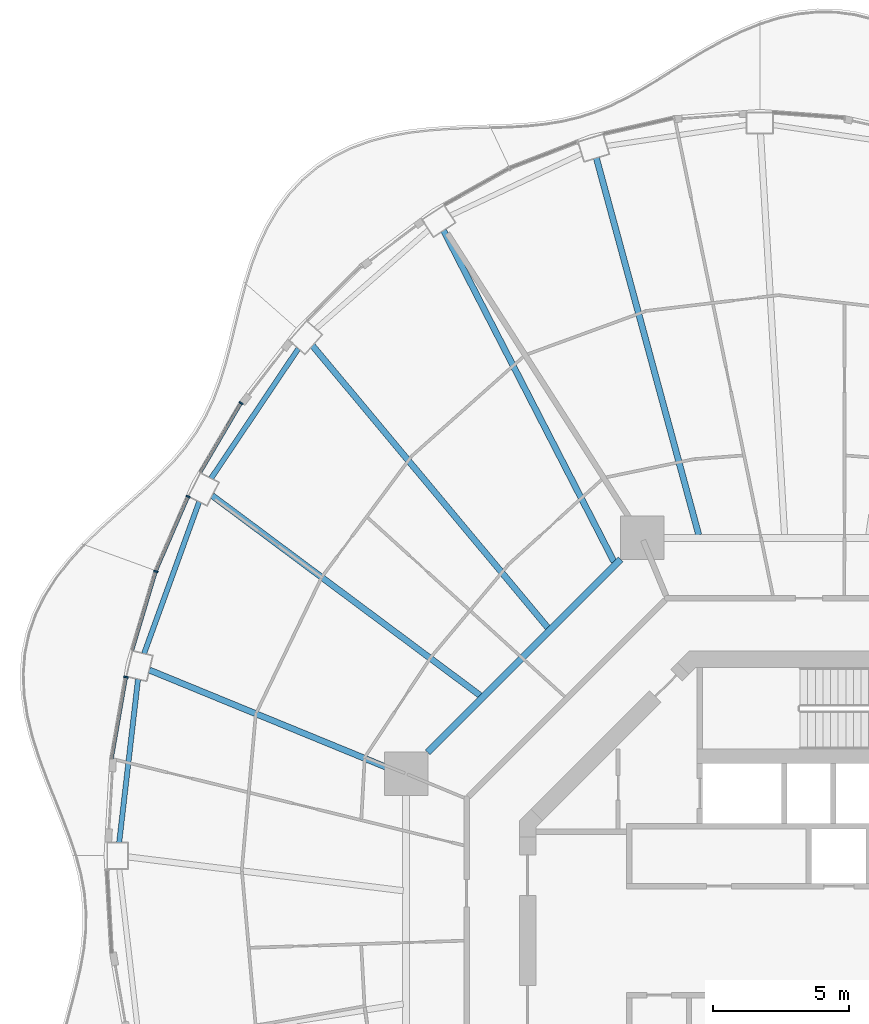
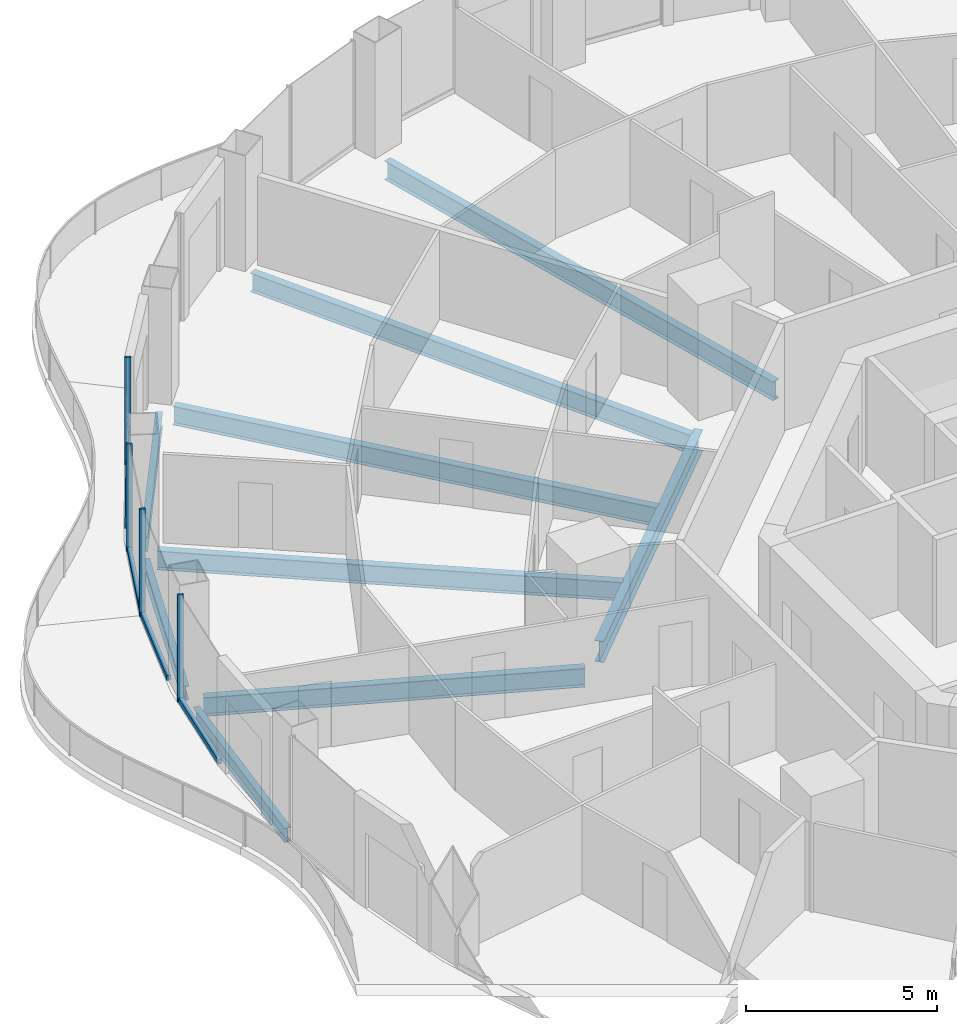
# One storey, part 5 of 18: 9 beams, 8 members, 4 elements without a shape of their own.
"""IFC4 building model written with IfcOpenShell, lengths in metres."""

from ifc_helpers import new_model, si_unit, direction, frame, origin, origin_2d, place, context, subcontext, project, spatial, rectangle, i_section, extrude, material, layer, layer_set, material_profile, profile_set, type_object, element, aggregate, save


model = new_model("IFC4")

# Units and contexts
model_context = context("Model", 3, precision=1e-05, world=origin(), true_north=direction((0.0, 1.0)))
body_context = subcontext(model_context, "Body", "Model", "MODEL_VIEW")
ifc_project = project(units=[si_unit("LENGTHUNIT", "METRE"), si_unit("AREAUNIT", "SQUARE_METRE"), si_unit("VOLUMEUNIT", "CUBIC_METRE"), si_unit("PLANEANGLEUNIT", "RADIAN"), si_unit("MASSUNIT", "GRAM", prefix="KILO")], contexts=[model_context])

# Site, building, storey
site_placement = place(None, origin())
site = spatial("IfcSite", under=ifc_project, at=site_placement, CompositionType="ELEMENT")
building_placement = place(site_placement, origin())
building = spatial("IfcBuilding", under=site, at=building_placement, Name="Nagisa Residences", CompositionType="ELEMENT")
storey_placement = place(building_placement, frame((0.0, 0.0, 238.10009765625)))
storey = spatial("IfcBuildingStorey", under=building, at=storey_placement, Name="L60", CompositionType="ELEMENT", Elevation=238.10009765625)

# Curtain wall, member
ifc_material_1 = material(Name="Concrete-coloured aluminium curtain wall system", Category="concrete")
ifc_layer = layer(ifc_material_1, 0.159912109375)
ifc_layer_set = layer_set([ifc_layer], Name="CW1 CURTAIN WALL")
curtain_wall_type = type_object("IfcCurtainWallType", Name="CW1 CURTAIN WALL", PredefinedType="NOTDEFINED", material=ifc_layer_set)
curtain_wall_1_placement = place(storey_placement, origin())
curtain_wall_1 = element("IfcCurtainWall", 1, at=curtain_wall_1_placement, inside=storey, type_object=curtain_wall_type, Name="cw:CW1:L60:19", PredefinedType="NOTDEFINED")
ifc_material_2 = material(Name="Concrete-coloured aluminium", Category="concrete")
ifc_material_profile_1 = material_profile(ifc_material_2, rectangle(XDim=0.159912109375, YDim=0.06005859375, at=origin_2d()), Name="CW1 MULLION 160x60")
ifc_profile_set_1 = profile_set([ifc_material_profile_1], Name="Concrete-coloured aluminium")
member_type_1 = type_object("IfcMemberType", Name="CW1 MULLION 160x60", PredefinedType="MULLION", material=ifc_profile_set_1)
member_1_placement = place(storey_placement, frame((-20.84228515625, 19.725341796875, 0.0), z_axis=(0.0, 0.0, 1.0), x_axis=(0.862328898214, -0.506348567002, 0.0)))
member_1 = element("IfcMember", 2, at=member_1_placement, type_object=member_type_1, Name="CW1 mullion", PredefinedType="MULLION", context=body_context, shape_type="SweptSolid", body=[
    extrude(rectangle(XDim=0.159912109375, YDim=0.06005859375, at=origin_2d()), origin(), (0.0, 0.0, 1.0), 3.43994140625),
])

curtain_wall_2_placement = place(storey_placement, origin())
curtain_wall_2 = element("IfcCurtainWall", 3, at=curtain_wall_2_placement, inside=storey, type_object=curtain_wall_type, Name="cw:CW1:L60:20", PredefinedType="NOTDEFINED")
member_2_placement = place(storey_placement, frame((-22.782470703125, 16.294677734375, 0.0), z_axis=(0.0, 0.0, 1.0), x_axis=(0.917543276295, -0.397635934147, 0.0)))
member_2 = element("IfcMember", 4, at=member_2_placement, type_object=member_type_1, Name="CW1 mullion", PredefinedType="MULLION", context=body_context, shape_type="SweptSolid", body=[
    extrude(rectangle(XDim=0.159912109375, YDim=0.06005859375, at=origin_2d()), origin(), (0.0, 0.0, 1.0), 3.43994140625),
])

curtain_wall_3_placement = place(storey_placement, origin())
curtain_wall_3 = element("IfcCurtainWall", 5, at=curtain_wall_3_placement, inside=storey, type_object=curtain_wall_type, Name="cw:CW1:L60:21", PredefinedType="NOTDEFINED")
member_3_placement = place(storey_placement, frame((-23.9697265625, 13.5478515625, 0.0), z_axis=(0.0, 0.0, 1.0), x_axis=(0.958271310082, -0.285860274038, 0.0)))
member_3 = element("IfcMember", 6, at=member_3_placement, type_object=member_type_1, Name="CW1 mullion", PredefinedType="MULLION", context=body_context, shape_type="SweptSolid", body=[
    extrude(rectangle(XDim=0.159912109375, YDim=0.06005859375, at=origin_2d()), origin(), (0.0, 0.0, 1.0), 3.43994140625),
])

curtain_wall_4_placement = place(storey_placement, origin())
curtain_wall_4 = element("IfcCurtainWall", 7, at=curtain_wall_4_placement, inside=storey, type_object=curtain_wall_type, Name="cw:CW1:L60:22", PredefinedType="NOTDEFINED")
member_4_placement = place(storey_placement, frame((-25.062255859375, 9.6708984375, 0.0), z_axis=(0.0, 0.0, 1.0), x_axis=(0.985063604377, -0.172190868898, 0.0)))
member_4 = element("IfcMember", 8, at=member_4_placement, type_object=member_type_1, Name="CW1 mullion", PredefinedType="MULLION", context=body_context, shape_type="SweptSolid", body=[
    extrude(rectangle(XDim=0.159912109375, YDim=0.06005859375, at=origin_2d()), origin(), (0.0, 0.0, 1.0), 3.43994140625),
])

# Member
ifc_material_3 = material(Name="Concrete-coloured aluminium", Category="concrete")
ifc_material_profile_2 = material_profile(ifc_material_3, rectangle(XDim=0.1201171875, YDim=0.14990234375, at=origin_2d()), Name="CW1 TRANSOM 120x150")
ifc_profile_set_2 = profile_set([ifc_material_profile_2], Name="Concrete-coloured aluminium")
member_type_2 = type_object("IfcMemberType", Name="CW1 TRANSOM 120x150", PredefinedType="USERDEFINED", material=ifc_profile_set_2)
member_5_placement = place(storey_placement, frame((-20.8271484375, 19.751220703125, 0.074951171875), z_axis=(-0.506294090973, -0.862360883532, 0.0), x_axis=(0.862360883532, -0.506294090973, 0.0)))
member_5 = element("IfcMember", 9, at=member_5_placement, type_object=member_type_2, Name="CW1 transom", ObjectType="TRANSOM", PredefinedType="USERDEFINED", context=body_context, shape_type="SweptSolid", body=[
    extrude(rectangle(XDim=0.1201171875, YDim=0.14990234375, at=origin_2d()), origin(), (0.0, 0.0, 1.0), 2.95458984375),
])

aggregate(curtain_wall_1, [member_1, member_5])

member_6_placement = place(storey_placement, frame((-22.770751953125, 16.322021484375, 0.074951171875), z_axis=(-0.397616567135, -0.917551669139, 0.0), x_axis=(0.917551669139, -0.397616567135, 0.0)))
member_6 = element("IfcMember", 10, at=member_6_placement, type_object=member_type_2, Name="CW1 transom", ObjectType="TRANSOM", PredefinedType="USERDEFINED", context=body_context, shape_type="SweptSolid", body=[
    extrude(rectangle(XDim=0.1201171875, YDim=0.14990234375, at=origin_2d()), origin(), (0.0, 0.0, 1.0), 3.001953125),
])

aggregate(curtain_wall_2, [member_2, member_6])

member_7_placement = place(storey_placement, frame((-23.961181640625, 13.576416015625, 0.074951171875), z_axis=(-0.285881452443, -0.958264992134, 0.0), x_axis=(0.958264992134, -0.285881452443, 0.0)))
member_7 = element("IfcMember", 11, at=member_7_placement, type_object=member_type_2, Name="CW1 transom", ObjectType="TRANSOM", PredefinedType="USERDEFINED", context=body_context, shape_type="SweptSolid", body=[
    extrude(rectangle(XDim=0.1201171875, YDim=0.14990234375, at=origin_2d()), origin(), (0.0, 0.0, 1.0), 3.040283203125),
])

aggregate(curtain_wall_3, [member_3, member_7])

member_8_placement = place(storey_placement, frame((-25.05712890625, 9.700439453125, 0.074951171875), z_axis=(-0.172164083933, -0.985068286061, 0.0), x_axis=(0.985068286061, -0.172164083933, 0.0)))
member_8 = element("IfcMember", 12, at=member_8_placement, type_object=member_type_2, Name="CW1 transom", ObjectType="TRANSOM", PredefinedType="USERDEFINED", context=body_context, shape_type="SweptSolid", body=[
    extrude(rectangle(XDim=0.1201171875, YDim=0.14990234375, at=origin_2d()), origin(), (0.0, 0.0, 1.0), 3.0673828125),
])

aggregate(curtain_wall_4, [member_4, member_8])

# Beams
ifc_material_4 = material(Name="Steel ASTM A572 Gr 50", Category="steel")
ifc_material_profile_3 = material_profile(ifc_material_4, i_section(OverallWidth=0.2529296875, OverallDepth=0.677978515625, WebThickness=0.01171875, FlangeThickness=0.016357421875, at=origin_2d()), Name="W690x125")
ifc_profile_set_3 = profile_set([ifc_material_profile_3], Name="Steel ASTM A572 Gr 50")
beam_type_1 = type_object("IfcBeamType", Name="Inner ring beam W690x125", PredefinedType="BEAM", material=ifc_profile_set_3)
beam_1_placement = place(storey_placement, frame((-6.90869140625, 13.99609375, -0.59912109375), z_axis=(-0.707106781187, -0.707106781187, 0.0), x_axis=(0.707106781187, -0.707106781187, 0.0)))
element("IfcBeam", 13, at=beam_1_placement, inside=storey, type_object=beam_type_1, Name="beam:L60:ib3", PredefinedType="BEAM", context=body_context, shape_type="SweptSolid", body=[
    extrude(i_section(OverallWidth=0.2529296875, OverallDepth=0.677978515625, WebThickness=0.01171875, FlangeThickness=0.016357421875, at=origin_2d()), origin(), (0.0, 0.0, 1.0), 10.023193359375),
])
ifc_material_5 = material(Name="Steel ASTM A572 Gr 50", Category="steel")
ifc_material_profile_4 = material_profile(ifc_material_5, i_section(OverallWidth=0.18994140625, OverallDepth=0.45703125, WebThickness=0.009033203125, FlangeThickness=0.014404296875, at=origin_2d()), Name="W460x74")
ifc_profile_set_4 = profile_set([ifc_material_profile_4], Name="Steel ASTM A572 Gr 50")
beam_type_2 = type_object("IfcBeamType", Name="Perimeter ring beam W460x74", PredefinedType="BEAM", material=ifc_profile_set_4)
beam_2_placement = place(storey_placement, frame((-18.73681640625, 21.72998046875, -0.488525390625), z_axis=(-0.558079852096, -0.829787249049, 0.0), x_axis=(0.829787249049, -0.558079852096, 0.0)))
element("IfcBeam", 14, at=beam_2_placement, inside=storey, type_object=beam_type_2, Name="beam:L60:pb10", PredefinedType="BEAM", context=body_context, shape_type="SweptSolid", body=[
    extrude(i_section(OverallWidth=0.18994140625, OverallDepth=0.45703125, WebThickness=0.009033203125, FlangeThickness=0.014404296875, at=origin_2d()), origin(), (0.0, 0.0, 1.0), 5.743408203125),
])
beam_3_placement = place(storey_placement, frame((-22.377197265625, 16.108154296875, -0.488525390625), z_axis=(-0.34127712749, -0.939962723863, 0.0), x_axis=(0.939962723863, -0.34127712749, 0.0)))
element("IfcBeam", 15, at=beam_3_placement, inside=storey, type_object=beam_type_2, Name="beam:L60:pb11", PredefinedType="BEAM", context=body_context, shape_type="SweptSolid", body=[
    extrude(i_section(OverallWidth=0.18994140625, OverallDepth=0.45703125, WebThickness=0.009033203125, FlangeThickness=0.014404296875, at=origin_2d()), origin(), (0.0, 0.0, 1.0), 5.9326171875),
])
beam_4_placement = place(storey_placement, frame((-24.622314453125, 9.59716796875, -0.488525390625), z_axis=(-0.114650193512, -0.993405925656, 0.0), x_axis=(0.993405925656, -0.114650193512, 0.0)))
element("IfcBeam", 16, at=beam_4_placement, inside=storey, type_object=beam_type_2, Name="beam:L60:pb12", PredefinedType="BEAM", context=body_context, shape_type="SweptSolid", body=[
    extrude(i_section(OverallWidth=0.18994140625, OverallDepth=0.45703125, WebThickness=0.009033203125, FlangeThickness=0.014404296875, at=origin_2d()), origin(), (0.0, 0.0, 1.0), 6.0390625),
])
ifc_material_6 = material(Name="Steel ASTM A572 Gr 50", Category="steel")
ifc_material_profile_5 = material_profile(ifc_material_6, i_section(OverallWidth=0.22802734375, OverallDepth=0.60302734375, WebThickness=0.010498046875, FlangeThickness=0.014892578125, at=origin_2d()), Name="W610x101")
ifc_profile_set_5 = profile_set([ifc_material_profile_5], Name="Steel ASTM A572 Gr 50")
beam_type_3 = type_object("IfcBeamType", Name="Radial beam W610x101", PredefinedType="BEAM", material=ifc_profile_set_5)
beam_5_placement = place(storey_placement, frame((-7.80078125, 28.724609375, -0.5615234375), z_axis=(0.26207978084, -0.965046210539, 0.0), x_axis=(0.965046210539, 0.26207978084, 0.0)))
element("IfcBeam", 17, at=beam_5_placement, inside=storey, type_object=beam_type_3, Name="beam:L60:rb08", PredefinedType="BEAM", context=body_context, shape_type="SweptSolid", body=[
    extrude(i_section(OverallWidth=0.22802734375, OverallDepth=0.60302734375, WebThickness=0.010498046875, FlangeThickness=0.014892578125, at=origin_2d()), origin(), (0.0, 0.0, 1.0), 14.336669921875),
])
beam_6_placement = place(storey_placement, frame((-13.41015625, 26.065185546875, -0.5615234375), z_axis=(0.457487565814, -0.889216018257, 0.0), x_axis=(0.889216018257, 0.457487565814, 0.0)))
element("IfcBeam", 18, at=beam_6_placement, inside=storey, type_object=beam_type_3, Name="beam:L60:rb09", PredefinedType="BEAM", context=body_context, shape_type="SweptSolid", body=[
    extrude(i_section(OverallWidth=0.22802734375, OverallDepth=0.60302734375, WebThickness=0.010498046875, FlangeThickness=0.014892578125, at=origin_2d()), origin(), (0.0, 0.0, 1.0), 13.676513671875),
])
beam_7_placement = place(storey_placement, frame((-18.219970703125, 21.83642578125, -0.5615234375), z_axis=(0.64065600401, -0.767828030568, 0.0), x_axis=(0.767828030568, 0.64065600401, 0.0)))
element("IfcBeam", 19, at=beam_7_placement, inside=storey, type_object=beam_type_3, Name="beam:L60:rb10", PredefinedType="BEAM", context=body_context, shape_type="SweptSolid", body=[
    extrude(i_section(OverallWidth=0.22802734375, OverallDepth=0.60302734375, WebThickness=0.010498046875, FlangeThickness=0.014892578125, at=origin_2d()), origin(), (0.0, 0.0, 1.0), 13.490234375),
])
beam_8_placement = place(storey_placement, frame((-21.90283203125, 16.33203125, -0.5615234375), z_axis=(0.801674643351, -0.597760626177, 0.0), x_axis=(0.597760626177, 0.801674643351, 0.0)))
element("IfcBeam", 20, at=beam_8_placement, inside=storey, type_object=beam_type_3, Name="beam:L60:rb11", PredefinedType="BEAM", context=body_context, shape_type="SweptSolid", body=[
    extrude(i_section(OverallWidth=0.22802734375, OverallDepth=0.60302734375, WebThickness=0.010498046875, FlangeThickness=0.014892578125, at=origin_2d()), origin(), (0.0, 0.0, 1.0), 12.275634765625),
])
beam_9_placement = place(storey_placement, frame((-24.210693359375, 9.93115234375, -0.5615234375), z_axis=(0.925188691773, -0.379507423663, 0.0), x_axis=(0.379507423663, 0.925188691773, 0.0)))
element("IfcBeam", 21, at=beam_9_placement, inside=storey, type_object=beam_type_3, Name="beam:L60:rb12", PredefinedType="BEAM", context=body_context, shape_type="SweptSolid", body=[
    extrude(i_section(OverallWidth=0.22802734375, OverallDepth=0.60302734375, WebThickness=0.010498046875, FlangeThickness=0.014892578125, at=origin_2d()), origin(), (0.0, 0.0, 1.0), 10.07421875),
])

save(model, "model.ifc")
